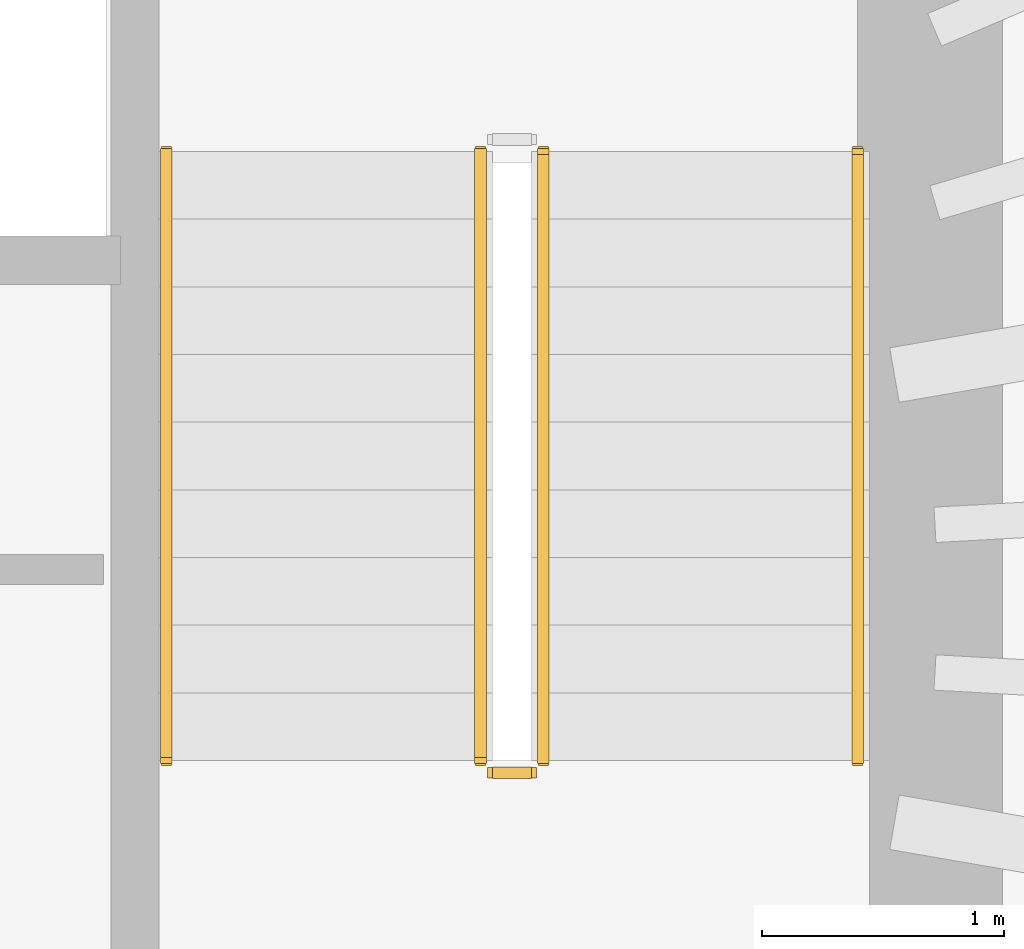
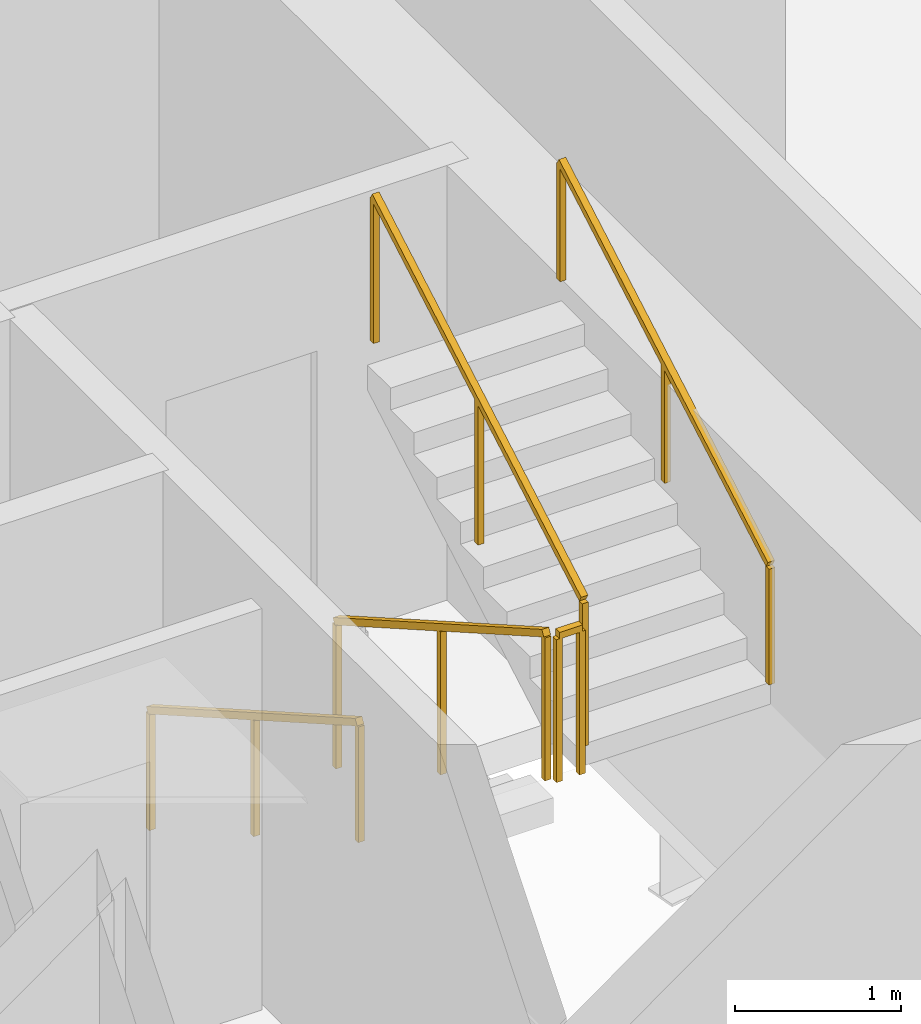
# One storey, part 10 of 12: 5 railings.
"""IFC4 building model written with IfcOpenShell, lengths in metres."""

from ifc_helpers import new_model, si_unit, direction, frame, origin, origin_2d, place, context, subcontext, project, spatial, rectangle, extrude, material, type_object, element, save


model = new_model("IFC4")

# Units and contexts
model_context = context("Model", 3, precision=1e-05, world=origin(), true_north=direction((0.0, 1.0)))
body_context = subcontext(model_context, "Body", "Model", "MODEL_VIEW")
ifc_project = project(units=[si_unit("LENGTHUNIT", "METRE"), si_unit("AREAUNIT", "SQUARE_METRE"), si_unit("VOLUMEUNIT", "CUBIC_METRE"), si_unit("PLANEANGLEUNIT", "RADIAN"), si_unit("MASSUNIT", "GRAM", prefix="KILO")], contexts=[model_context])

# Site, building, storey
site_placement = place(None, origin())
site = spatial("IfcSite", under=ifc_project, at=site_placement, CompositionType="ELEMENT")
building_placement = place(site_placement, origin())
building = spatial("IfcBuilding", under=site, at=building_placement, Name="Veldorim Arch Residences", CompositionType="ELEMENT")
storey_placement = place(building_placement, frame((0.0, 0.0, 132.9599609375)))
storey = spatial("IfcBuildingStorey", under=building, at=storey_placement, Name="L39", CompositionType="ELEMENT", Elevation=132.9599609375)

# Railings
ifc_material_1 = material(Name="Steel S355", Category="steel")
railing_type_1 = type_object("IfcRailingType", Name="Galvanised Steel Stair Safety Guardrail 1100", PredefinedType="GUARDRAIL", material=ifc_material_1)
railing_1_placement = place(storey_placement, frame((35.639892578125, 25.85009765625, 0.16015625)))
element("IfcRailing", 1, at=railing_1_placement, inside=storey, type_object=railing_type_1, Name="L39 ST-2 stair guard 1", PredefinedType="GUARDRAIL", context=body_context, shape_type="SweptSolid", body=[
    extrude(rectangle(XDim=0.048095703125, YDim=0.048095703125, at=origin_2d()), frame((0.0, 0.0, 1.076171875), z_axis=(0.0, -0.868253494771, 0.496120820787), x_axis=(1.0, 0.0, 0.0)), (0.0, 0.0, 1.0), 2.90234375),
    extrude(rectangle(XDim=0.0419921875, YDim=0.0419921875, at=origin_2d()), origin(), (0.0, 0.0, 1.0), 1.052001953125),
    extrude(rectangle(XDim=0.0419921875, YDim=0.0419921875, at=origin_2d()), frame((0.0, -1.260009765625, 0.719970703125)), (0.0, 0.0, 1.0), 1.052001953125),
    extrude(rectangle(XDim=0.0419921875, YDim=0.0419921875, at=origin_2d()), frame((0.0, -2.52001953125, 1.43994140625)), (0.0, 0.0, 1.0), 1.052001953125),
])
railing_2_placement = place(storey_placement, frame((35.68994140625, 23.280029296875, 1.60009765625)))
element("IfcRailing", 2, at=railing_2_placement, inside=storey, type_object=railing_type_1, Name="L39 ST-2 stair guard 2", PredefinedType="GUARDRAIL", context=body_context, shape_type="SweptSolid", body=[
    extrude(rectangle(XDim=0.048095703125, YDim=0.048095703125, at=origin_2d()), frame((0.0, 0.0, 1.076171875), z_axis=(1.0, 0.0, 0.0), x_axis=(0.0, 1.0, 0.0)), (0.0, 0.0, 1.0), 0.16015625),
    extrude(rectangle(XDim=0.0419921875, YDim=0.0419921875, at=origin_2d()), origin(), (0.0, 0.0, 1.0), 1.052001953125),
    extrude(rectangle(XDim=0.0419921875, YDim=0.0419921875, at=origin_2d()), frame((0.16015625, 0.0, 0.0)), (0.0, 0.0, 1.0), 1.052001953125),
])
railing_3_placement = place(storey_placement, frame((35.89990234375, 23.330078125, 1.760009765625)))
element("IfcRailing", 3, at=railing_3_placement, inside=storey, type_object=railing_type_1, Name="L39 ST-2 stair guard 3", PredefinedType="GUARDRAIL", context=body_context, shape_type="SweptSolid", body=[
    extrude(rectangle(XDim=0.048095703125, YDim=0.048095703125, at=origin_2d()), frame((0.0, 0.0, 1.076171875), z_axis=(0.0, 0.868253494771, 0.496120820787), x_axis=(-1.0, 0.0, 0.0)), (0.0, 0.0, 1.0), 2.90234375),
    extrude(rectangle(XDim=0.0419921875, YDim=0.0419921875, at=origin_2d()), origin(), (0.0, 0.0, 1.0), 1.052001953125),
    extrude(rectangle(XDim=0.0419921875, YDim=0.0419921875, at=origin_2d()), frame((0.0, 1.260009765625, 0.719970703125)), (0.0, 0.0, 1.0), 1.052001953125),
    extrude(rectangle(XDim=0.0419921875, YDim=0.0419921875, at=origin_2d()), frame((0.0, 2.52001953125, 1.43994140625)), (0.0, 0.0, 1.0), 1.052001953125),
])
ifc_material_2 = material(Name="Stainless Steel", Category="steel")
railing_type_2 = type_object("IfcRailingType", Name="Tubular Steel Continuous Wall Handrail 900", PredefinedType="HANDRAIL", material=ifc_material_2)
railing_4_placement = place(storey_placement, frame((34.340087890625, 25.85009765625, 0.16015625)))
element("IfcRailing", 4, at=railing_4_placement, inside=storey, type_object=railing_type_2, Name="L39 ST-2 stair handrail 1", PredefinedType="HANDRAIL", context=body_context, shape_type="SweptSolid", body=[
    extrude(rectangle(XDim=0.048095703125, YDim=0.048095703125, at=origin_2d()), frame((0.0, 0.0, 0.8759765625), z_axis=(0.0, -0.868253494771, 0.496120820787), x_axis=(1.0, 0.0, 0.0)), (0.0, 0.0, 1.0), 2.90234375),
    extrude(rectangle(XDim=0.0419921875, YDim=0.0419921875, at=origin_2d()), origin(), (0.0, 0.0, 1.0), 0.851806640625),
    extrude(rectangle(XDim=0.0419921875, YDim=0.0419921875, at=origin_2d()), frame((0.0, -1.260009765625, 0.719970703125)), (0.0, 0.0, 1.0), 0.851806640625),
    extrude(rectangle(XDim=0.0419921875, YDim=0.0419921875, at=origin_2d()), frame((0.0, -2.52001953125, 1.43994140625)), (0.0, 0.0, 1.0), 0.851806640625),
])
railing_5_placement = place(storey_placement, frame((37.199951171875, 23.330078125, 1.760009765625)))
element("IfcRailing", 5, at=railing_5_placement, inside=storey, type_object=railing_type_2, Name="L39 ST-2 stair handrail 2", PredefinedType="HANDRAIL", context=body_context, shape_type="SweptSolid", body=[
    extrude(rectangle(XDim=0.048095703125, YDim=0.048095703125, at=origin_2d()), frame((0.0, 0.0, 0.8759765625), z_axis=(0.0, 0.868253494771, 0.496120820787), x_axis=(-1.0, 0.0, 0.0)), (0.0, 0.0, 1.0), 2.90234375),
    extrude(rectangle(XDim=0.0419921875, YDim=0.0419921875, at=origin_2d()), origin(), (0.0, 0.0, 1.0), 0.851806640625),
    extrude(rectangle(XDim=0.0419921875, YDim=0.0419921875, at=origin_2d()), frame((0.0, 1.260009765625, 0.719970703125)), (0.0, 0.0, 1.0), 0.851806640625),
    extrude(rectangle(XDim=0.0419921875, YDim=0.0419921875, at=origin_2d()), frame((0.0, 2.52001953125, 1.43994140625)), (0.0, 0.0, 1.0), 0.851806640625),
])

save(model, "model.ifc")
